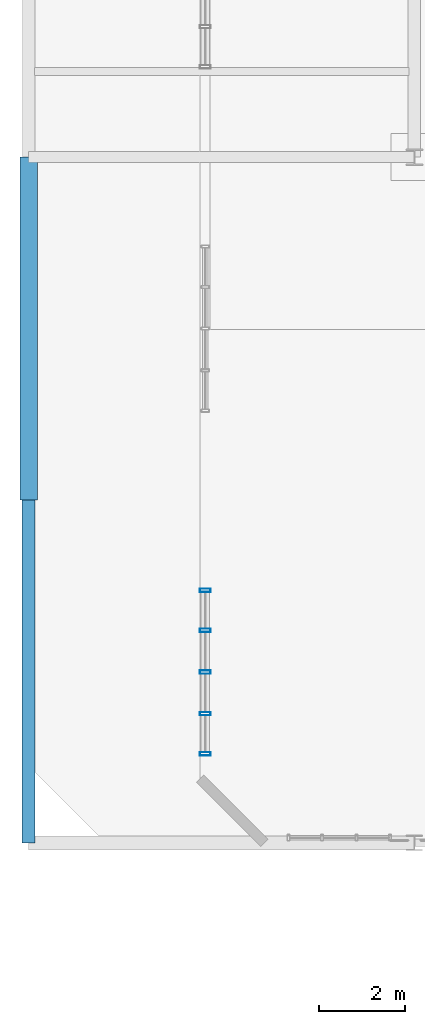
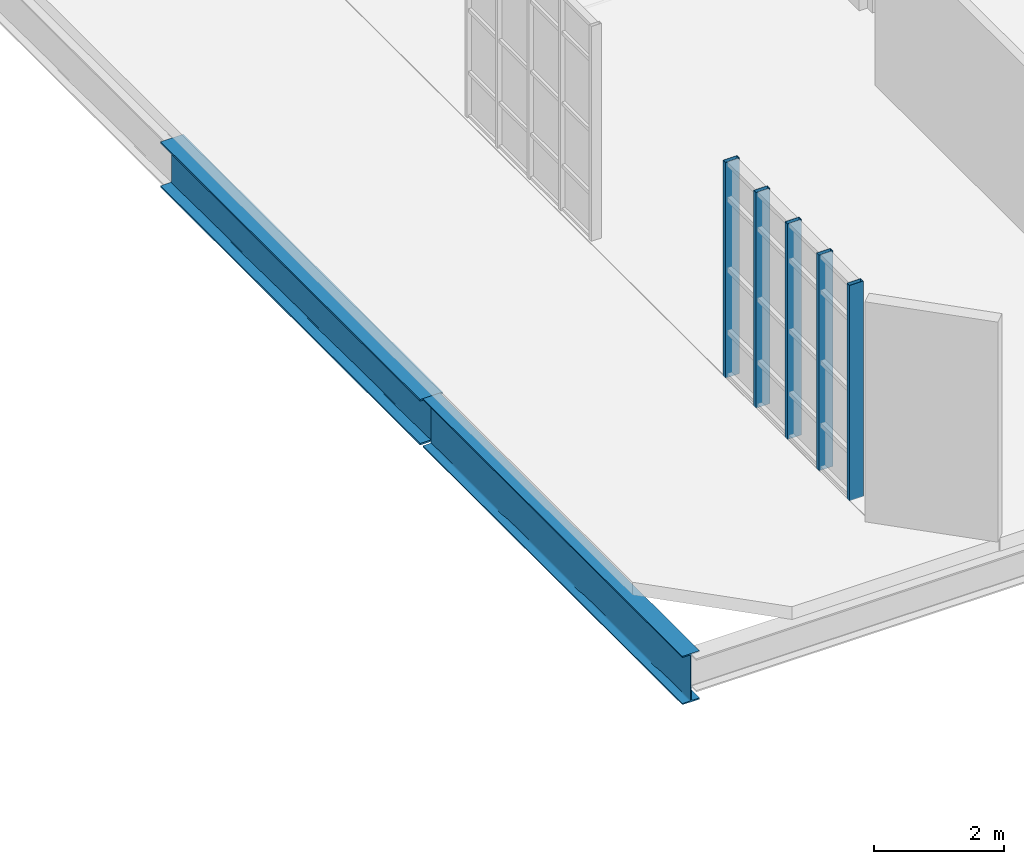
# One storey, part 15 of 36: 5 members, 2 beams, 1 element without a shape of its own.
"""IFC4 building model written with IfcOpenShell, lengths in metres."""

from ifc_helpers import new_model, si_unit, direction, frame, origin, origin_2d, place, context, subcontext, project, spatial, hollow_rectangle, i_section, extrude, material, layer, layer_set, material_profile, profile_set, type_object, element, aggregate, save


model = new_model("IFC4")

# Units and contexts
model_context = context("Model", 3, precision=1e-05, world=origin(), true_north=direction((0.0, 1.0)))
body_context = subcontext(model_context, "Body", "Model", "MODEL_VIEW")
ifc_project = project(units=[si_unit("LENGTHUNIT", "METRE"), si_unit("AREAUNIT", "SQUARE_METRE"), si_unit("VOLUMEUNIT", "CUBIC_METRE"), si_unit("PLANEANGLEUNIT", "RADIAN"), si_unit("MASSUNIT", "GRAM", prefix="KILO"), si_unit("THERMODYNAMICTEMPERATUREUNIT", "KELVIN"), si_unit("POWERUNIT", "WATT")], contexts=[model_context])

# Site, building, storey
site_placement = place(None, origin())
site = spatial("IfcSite", under=ifc_project, at=site_placement, CompositionType="ELEMENT")
building_placement = place(site_placement, origin())
building = spatial("IfcBuilding", under=site, at=building_placement, Name="Zelmaris Science Centre", CompositionType="ELEMENT")
storey_placement = place(building_placement, frame((0.0, 0.0, 25.199951171875)))
storey = spatial("IfcBuildingStorey", under=building, at=storey_placement, Name="L05", CompositionType="ELEMENT", Elevation=25.199951171875)

# Curtain wall, members
ifc_material_1 = material(Name="Anodised architectural aluminium 6063-T6", Category="aluminium")
ifc_layer = layer(ifc_material_1, 0.18994140625, Name="Anodised architectural aluminium 6063-T6")
ifc_layer_set = layer_set([ifc_layer], Name="Anodised architectural aluminium 6063-T6")
curtain_wall_type = type_object("IfcCurtainWallType", Name="Curtain Wall CW-01", PredefinedType="USERDEFINED", material=ifc_layer_set)
curtain_wall_placement = place(storey_placement, origin())
curtain_wall = element("IfcCurtainWall", 1, at=curtain_wall_placement, inside=storey, type_object=curtain_wall_type, Name="L05 Unitised curtain wall 377", ObjectType="GLAZED CURTAIN WALL", PredefinedType="USERDEFINED")
ifc_material_profile_1 = material_profile(ifc_material_1, hollow_rectangle(XDim=0.080078125, YDim=0.25, WallThickness=0.0048828125, at=origin_2d()), Name="ALU-MUL-80X250")
ifc_profile_set_1 = profile_set([ifc_material_profile_1], Name="Anodised architectural aluminium 6063-T6")
member_type = type_object("IfcMemberType", Name="ALU-MUL-80X250", PredefinedType="MULLION", material=ifc_profile_set_1)
member_1_placement = place(storey_placement, frame((58.1201171875, 66.075927734375, -0.014892578125), z_axis=(0.0, 0.0, 1.0), x_axis=(-3.490659e-06, 0.999999999994, 0.0)))
member_1 = element("IfcMember", 2, at=member_1_placement, type_object=member_type, Name="CW-01 mullion 1", PredefinedType="MULLION", context=body_context, shape_type="SweptSolid", body=[
    extrude(hollow_rectangle(XDim=0.080078125, YDim=0.25, WallThickness=0.0048828125, at=origin_2d()), origin(), (0.0, 0.0, 1.0), 4.054931640625),
])
member_2_placement = place(storey_placement, frame((58.1201171875, 67.011962890625, -0.014892578125), z_axis=(0.0, 0.0, 1.0), x_axis=(-3.490659e-06, 0.999999999994, 0.0)))
member_2 = element("IfcMember", 3, at=member_2_placement, type_object=member_type, Name="CW-01 mullion 2", PredefinedType="MULLION", context=body_context, shape_type="SweptSolid", body=[
    extrude(hollow_rectangle(XDim=0.080078125, YDim=0.25, WallThickness=0.0048828125, at=origin_2d()), origin(), (0.0, 0.0, 1.0), 4.054931640625),
])
member_3_placement = place(storey_placement, frame((58.1201171875, 67.98388671875, -0.014892578125), z_axis=(0.0, 0.0, 1.0), x_axis=(-3.490659e-06, 0.999999999994, 0.0)))
member_3 = element("IfcMember", 4, at=member_3_placement, type_object=member_type, Name="CW-01 mullion 3", PredefinedType="MULLION", context=body_context, shape_type="SweptSolid", body=[
    extrude(hollow_rectangle(XDim=0.080078125, YDim=0.25, WallThickness=0.0048828125, at=origin_2d()), origin(), (0.0, 0.0, 1.0), 4.054931640625),
])
member_4_placement = place(storey_placement, frame((58.1201171875, 68.955810546875, -0.014892578125), z_axis=(0.0, 0.0, 1.0), x_axis=(-3.490659e-06, 0.999999999994, 0.0)))
member_4 = element("IfcMember", 5, at=member_4_placement, type_object=member_type, Name="CW-01 mullion 4", PredefinedType="MULLION", context=body_context, shape_type="SweptSolid", body=[
    extrude(hollow_rectangle(XDim=0.080078125, YDim=0.25, WallThickness=0.0048828125, at=origin_2d()), origin(), (0.0, 0.0, 1.0), 4.054931640625),
])
member_5_placement = place(storey_placement, frame((58.1201171875, 69.8916015625, -0.014892578125), z_axis=(0.0, 0.0, 1.0), x_axis=(-3.490659e-06, 0.999999999994, 0.0)))
member_5 = element("IfcMember", 6, at=member_5_placement, type_object=member_type, Name="CW-01 mullion 5", PredefinedType="MULLION", context=body_context, shape_type="SweptSolid", body=[
    extrude(hollow_rectangle(XDim=0.080078125, YDim=0.25, WallThickness=0.0048828125, at=origin_2d()), origin(), (0.0, 0.0, 1.0), 4.054931640625),
])
aggregate(curtain_wall, [member_1, member_2, member_3, member_4, member_5])

# Beams
ifc_material_2 = material(Name="Steel ASTM A992 Grade 50", Category="steel")
ifc_material_profile_2 = material_profile(ifc_material_2, i_section(OverallWidth=0.304931640625, OverallDepth=0.912109375, WebThickness=0.015869140625, FlangeThickness=0.02392578125, FilletRadius=0.02392578125, at=origin_2d()), Name="W36X150")
ifc_profile_set_2 = profile_set([ifc_material_profile_2], Name="Steel ASTM A992 Grade 50")
beam_type_1 = type_object("IfcBeamType", Name="Beam G-27 W36X150", PredefinedType="BEAM", material=ifc_profile_set_2)
beam_1_placement = place(storey_placement, frame((54.0, 64.0, -0.7060546875), z_axis=(0.0, 1.0, 0.0), x_axis=(-1.0, 0.0, 0.0)))
element("IfcBeam", 7, at=beam_1_placement, inside=storey, type_object=beam_type_1, Name="L05 North-south girder 915", PredefinedType="BEAM", context=body_context, shape_type="SweptSolid", body=[
    extrude(i_section(OverallWidth=0.304931640625, OverallDepth=0.912109375, WebThickness=0.015869140625, FlangeThickness=0.02392578125, FilletRadius=0.02392578125, at=origin_2d()), origin(), (0.0, 0.0, 1.0), 8.0),
])
ifc_material_profile_3 = material_profile(ifc_material_2, i_section(OverallWidth=0.404052734375, OverallDepth=0.861083984375, WebThickness=0.019775390625, FlangeThickness=0.032470703125, FilletRadius=0.02001953125, at=origin_2d()), Name="W33X221")
ifc_profile_set_3 = profile_set([ifc_material_profile_3], Name="Steel ASTM A992 Grade 50")
beam_type_2 = type_object("IfcBeamType", Name="Beam G-28 W33X221", PredefinedType="BEAM", material=ifc_profile_set_3)
beam_2_placement = place(storey_placement, frame((54.0, 72.0, -0.680419921875), z_axis=(0.0, 1.0, 0.0), x_axis=(-1.0, 0.0, 0.0)))
element("IfcBeam", 8, at=beam_2_placement, inside=storey, type_object=beam_type_2, Name="L05 North-south girder 916", PredefinedType="BEAM", context=body_context, shape_type="SweptSolid", body=[
    extrude(i_section(OverallWidth=0.404052734375, OverallDepth=0.861083984375, WebThickness=0.019775390625, FlangeThickness=0.032470703125, FilletRadius=0.02001953125, at=origin_2d()), origin(), (0.0, 0.0, 1.0), 8.0),
])

save(model, "model.ifc")
